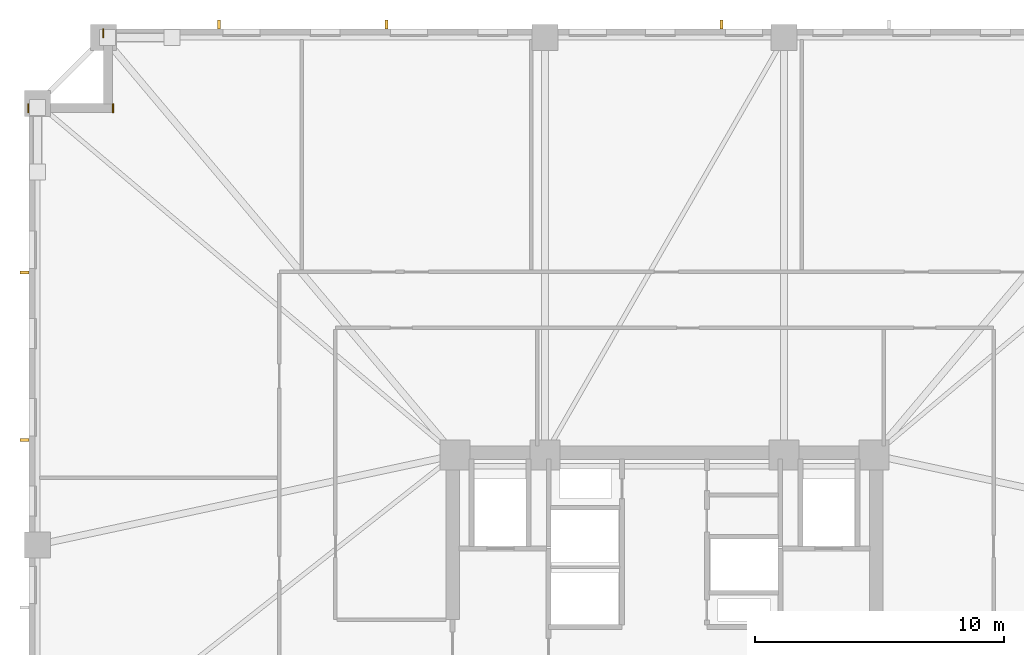
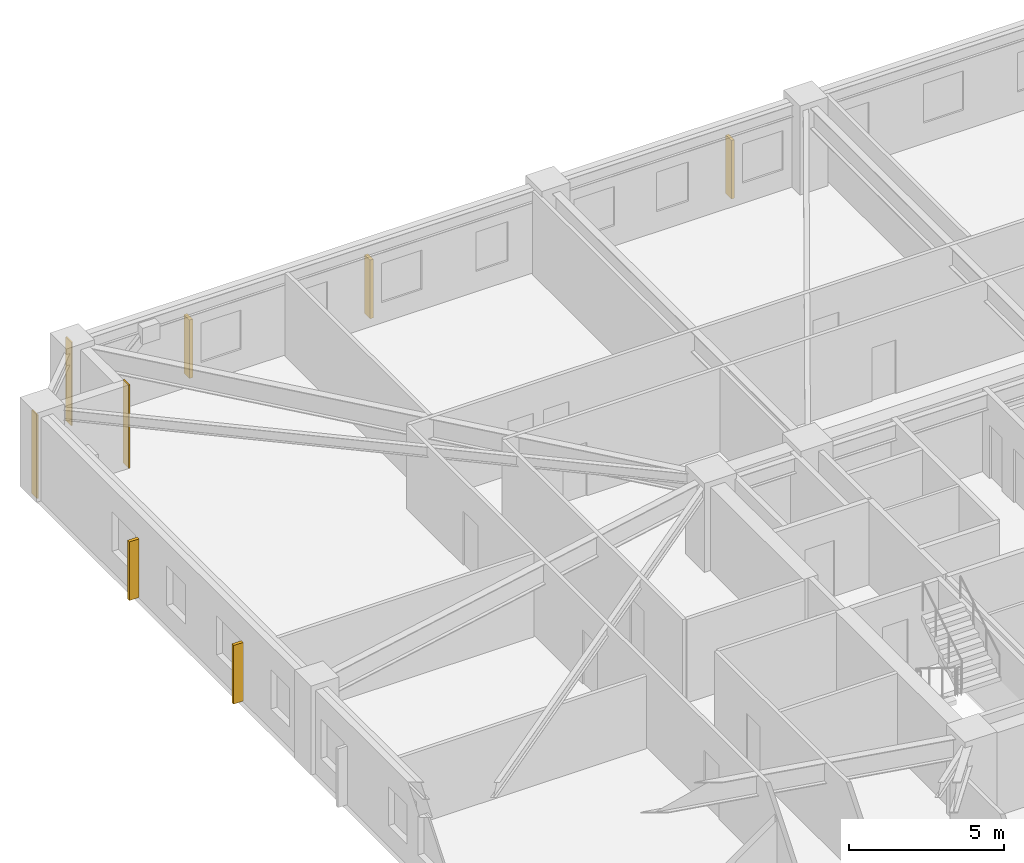
# One storey, part 10 of 11: 5 shading devices, 3 coverings.
"""IFC4 building model written with IfcOpenShell, lengths in metres."""

import ifcopenshell
import ifcopenshell.guid

model = None  # the IFC model being written
_history = None  # IfcOwnerHistory: only IFC2X3 demands one
_inside = {}  # id of a spatial element -> (the spatial element, [elements in it])
_under = {}  # id of a project, library or spatial element -> (it, [spatial elements below it])
_declared = {}  # id of a project -> (the project, [libraries it declares])
_typed = {}  # id of a type object -> (the type object, [elements of that type])
_made_of = {}  # id of a material, layer set ... -> (it, [elements and type objects made of it])


def new_model(schema):
    """Start an empty IFC model of exactly this schema.

    Asked for "IFC4X3", IfcOpenShell would pick the latest addendum, in which some entities
    have other attributes; the version numbers below select the first issue.
    IFC2X3 requires an IfcOwnerHistory on every rooted entity: one is made here for all.
    """
    global model, _history
    if schema == "IFC4X3":
        model = ifcopenshell.file(schema_version=(4, 3, 0, 0))
    else:
        model = ifcopenshell.file(schema=schema)
    _inside.clear()
    _under.clear()
    _declared.clear()
    _typed.clear()
    _made_of.clear()
    _history = None
    if model.schema == "IFC2X3":
        org = make("IfcOrganization", Name="unknown")
        user = make(
            "IfcPersonAndOrganization",
            ThePerson=make("IfcPerson", FamilyName="unknown"),
            TheOrganization=org,
        )
        app = make(
            "IfcApplication",
            ApplicationDeveloper=org,
            Version="unknown",
            ApplicationFullName="unknown",
            ApplicationIdentifier="unknown",
        )
        _history = make(
            "IfcOwnerHistory",
            OwningUser=user,
            OwningApplication=app,
            ChangeAction="ADDED",
            CreationDate=0,
        )
    return model


def make(cls, **values):
    """One entity of the class cls with the attributes given. An attribute that is None is left unset."""
    return model.create_entity(
        cls, **{name: value for name, value in values.items() if value is not None}
    )


def rooted(cls, **values):
    """An entity with a GlobalId (a new one), such as an element, a storey or a relation."""
    return make(cls, GlobalId=ifcopenshell.guid.new(), OwnerHistory=_history, **values)


def si_unit(unit_type, name, prefix=None):
    """IfcSIUnit, for example si_unit("LENGTHUNIT", "METRE", prefix="MILLI")."""
    return make("IfcSIUnit", UnitType=unit_type, Prefix=prefix, Name=name)


def assignment(units):
    """IfcUnitAssignment: the units of a project."""
    return None if units is None else make("IfcUnitAssignment", Units=units)


def point(xyz):
    """IfcCartesianPoint."""
    return None if xyz is None else make("IfcCartesianPoint", Coordinates=xyz)


def direction(xyz):
    """IfcDirection."""
    return None if xyz is None else make("IfcDirection", DirectionRatios=xyz)


def frame(location, z_axis=None, x_axis=None):
    """IfcAxis2Placement3D, a coordinate frame: its origin and axes. An axis left out is left unset."""
    return make(
        "IfcAxis2Placement3D",
        Location=point(location),
        Axis=direction(z_axis),
        RefDirection=direction(x_axis),
    )


def frame_2d(location, x_axis=None):
    """IfcAxis2Placement2D, a coordinate frame in the plane: its origin and x axis."""
    return make(
        "IfcAxis2Placement2D", Location=point(location), RefDirection=direction(x_axis)
    )


def origin():
    """The frame at (0, 0, 0) with its axes left unset."""
    return frame((0.0, 0.0, 0.0))


def origin_2d():
    """The frame at (0, 0) in the plane with its x axis left unset."""
    return frame_2d((0.0, 0.0))


def place(relative_to, where):
    """IfcLocalPlacement: puts the frame where relative to a parent placement (None: the world)."""
    return make(
        "IfcLocalPlacement", PlacementRelTo=relative_to, RelativePlacement=where
    )


def context(
    kind, dimensions, precision=None, world=None, true_north=None, identifier=None
):
    """IfcGeometricRepresentationContext, for example the 3D "Model" context."""
    return make(
        "IfcGeometricRepresentationContext",
        ContextIdentifier=identifier,
        ContextType=kind,
        CoordinateSpaceDimension=dimensions,
        Precision=precision,
        WorldCoordinateSystem=world,
        TrueNorth=true_north,
    )


def subcontext(parent, identifier, kind, view, scale=None):
    """IfcGeometricRepresentationSubContext, for example "Body" below "Model"."""
    return make(
        "IfcGeometricRepresentationSubContext",
        ContextIdentifier=identifier,
        ContextType=kind,
        ParentContext=parent,
        TargetScale=scale,
        TargetView=view,
    )


def project(units=None, contexts=None):
    """IfcProject with its units and contexts."""
    return rooted(
        "IfcProject",
        Name="project",
        RepresentationContexts=contexts,
        UnitsInContext=assignment(units),
    )


def spatial(cls, under=None, at=None, **own):
    """A site, building, storey or space (cls), placed at a placement, below another one or the project."""
    s = rooted(cls, ObjectPlacement=at, **own)
    if under is not None:
        _under.setdefault(under.id(), (under, []))[1].append(s)
    return s


def profile(cls, at=None, kind="AREA", **sizes):
    """A parametric profile (cls). Its sizes go by their IFC names, for example OverallWidth=200.0."""
    return make(cls, ProfileType=kind, Position=at, **sizes)


def rectangle(**sizes):
    """IfcRectangleProfileDef."""
    return profile("IfcRectangleProfileDef", **sizes)


def extrude(swept, where, along, depth):
    """IfcExtrudedAreaSolid: the profile swept, set in the frame where, extruded along a direction by depth."""
    return make(
        "IfcExtrudedAreaSolid",
        SweptArea=swept,
        Position=where,
        ExtrudedDirection=direction(along),
        Depth=depth,
    )


def shape(context_of_items, identifier, shape_type, items):
    """IfcShapeRepresentation: the items that make up one representation, for example the "Body"."""
    return make(
        "IfcShapeRepresentation",
        ContextOfItems=context_of_items,
        RepresentationIdentifier=identifier,
        RepresentationType=shape_type,
        Items=items,
    )


def material(Name=None, Category=None):
    """IfcMaterial."""
    return make("IfcMaterial", Name=Name, Category=Category)


def layer(
    of_material, thickness, ventilated=None, Name=None, Category=None, Priority=None
):
    """IfcMaterialLayer: one layer of a wall or slab, of a material (None: an air gap)."""
    return make(
        "IfcMaterialLayer",
        Material=of_material,
        LayerThickness=thickness,
        IsVentilated=ventilated,
        Name=Name,
        Category=Category,
        Priority=Priority,
    )


def layer_set(layers, Name=None):
    """IfcMaterialLayerSet."""
    return make("IfcMaterialLayerSet", MaterialLayers=layers, LayerSetName=Name)


def made_of(thing, what):
    """Note that an element or type object is made of a material, layer set ...; save() writes the relation."""
    if what is not None:
        _made_of.setdefault(what.id(), (what, []))[1].append(thing)
    return thing


def type_object(cls, material=None, **own):
    """A type object (cls), such as IfcWallType, which elements share."""
    return made_of(rooted(cls, **own), material)


def element(
    cls,
    number,
    at=None,
    inside=None,
    cuts=None,
    type_object=None,
    material=None,
    context=None,
    identifier="Body",
    shape_type=None,
    held_by="IfcProductDefinitionShape",
    body=None,
    shapes=None,
    **own,
):
    """One element of the class cls, such as IfcWall. Its Tag is "e" and its number.

    at: its placement. inside: the storey or other place that contains it. cuts: it is an
    opening in that element (IfcRelVoidsElement). A single representation is given by context,
    identifier, shape_type and body (its items); several are given by shapes. held_by: the class
    of the entity that holds the representations. save() writes the other relations.
    """
    e = rooted(cls, Tag="e%d" % number, ObjectPlacement=at, **own)
    if body is not None:
        shapes = [shape(context, identifier, shape_type, body)]
    if shapes is not None:
        e.Representation = make(held_by, Representations=shapes)
    if inside is not None:
        _inside.setdefault(inside.id(), (inside, []))[1].append(e)
    if cuts is not None:
        rooted(
            "IfcRelVoidsElement", RelatingBuildingElement=cuts, RelatedOpeningElement=e
        )
    if type_object is not None:
        _typed.setdefault(type_object.id(), (type_object, []))[1].append(e)
    return made_of(e, material)


def aggregate(whole, parts):
    """IfcRelAggregates: a whole, such as a stair, and the parts it consists of."""
    return rooted("IfcRelAggregates", RelatingObject=whole, RelatedObjects=parts)


def save(model, path):
    """Write the relations noted so far, then the file.

    IfcRelAggregates (storeys below a building ...), IfcRelContainedInSpatialStructure (elements
    in a storey), IfcRelDefinesByType, IfcRelAssociatesMaterial and IfcRelDeclares: one each for
    every whole, place, type object, material and project.
    """
    for whole, parts in _under.values():
        aggregate(whole, parts)
    for where, things in _inside.values():
        rooted(
            "IfcRelContainedInSpatialStructure",
            RelatedElements=things,
            RelatingStructure=where,
        )
    for kind, things in _typed.values():
        rooted("IfcRelDefinesByType", RelatedObjects=things, RelatingType=kind)
    for what, things in _made_of.values():
        rooted("IfcRelAssociatesMaterial", RelatedObjects=things, RelatingMaterial=what)
    for by, libraries in _declared.values():
        rooted("IfcRelDeclares", RelatingContext=by, RelatedDefinitions=libraries)
    model.write(path)


model = new_model("IFC4")

# Units and contexts
model_context = context("Model", 3, precision=1e-05, world=origin(), true_north=direction((0.0, 1.0)))
body_context = subcontext(model_context, "Body", "Model", "MODEL_VIEW")
ifc_project = project(units=[si_unit("LENGTHUNIT", "METRE"), si_unit("AREAUNIT", "SQUARE_METRE"), si_unit("VOLUMEUNIT", "CUBIC_METRE"), si_unit("PLANEANGLEUNIT", "RADIAN"), si_unit("MASSUNIT", "GRAM", prefix="KILO")], contexts=[model_context])

# Site, building, storey
site_placement = place(None, origin())
site = spatial("IfcSite", under=ifc_project, at=site_placement, CompositionType="ELEMENT")
building_placement = place(site_placement, origin())
building = spatial("IfcBuilding", under=site, at=building_placement, Name="Cairnveth Concourse Tower", CompositionType="ELEMENT")
storey_placement = place(building_placement, frame((0.0, 0.0, 44.5)))
storey = spatial("IfcBuildingStorey", under=building, at=storey_placement, Name="L11", CompositionType="ELEMENT", Elevation=44.5)

# Coverings
ifc_material_1 = material(Name="Dressed Melbourne Bluestone Cladding", Category="masonry")
ifc_layer = layer(ifc_material_1, 0.050048828125)
ifc_layer_set = layer_set([ifc_layer], Name="Dressed Melbourne Bluestone Cladding")
covering_type = type_object("IfcCoveringType", Name="DRESSED BLUESTONE PLINTH CLADDING 50", PredefinedType="CLADDING", material=ifc_layer_set)
for number, where, z_axis, x_axis, name in (
    (1, (26.47998046875, 61.139892578125, 0.0), (0.0, 0.0, 1.0), (0.0, 1.0, 0.0), "Melbourne Bluestone Corner Quoin L11-123"),
    (2, (29.8798828125, 61.139892578125, 0.0), (0.0, 0.0, 1.0), (0.0, 1.0, 0.0), "Melbourne Bluestone Corner Quoin L11-124"),
    (3, (29.47998046875, 64.139892578125, 0.0), (0.0, 0.0, 1.0), (0.0, 1.0, 0.0), "Melbourne Bluestone Corner Quoin L11-125"),
):
    element("IfcCovering", number, at=place(storey_placement, frame(where, z_axis=z_axis, x_axis=x_axis)), inside=storey, type_object=covering_type, Name=name, PredefinedType="CLADDING", context=body_context, shape_type="SweptSolid", body=[
        extrude(rectangle(XDim=0.360107421875, YDim=0.050048828125, at=frame_2d((0.18017578125, 0.0))), origin(), (0.0, 0.0, 1.0), 3.280029296875),
    ])

# Shading devices
ifc_material_2 = material(Name="Architectural Bronze Anodised Aluminium 6063-T6", Category="aluminium")
shading_device_type = type_object("IfcShadingDeviceType", Name="GOTHIC BRONZE VERTICAL LANCET FIN", PredefinedType="USERDEFINED", material=ifc_material_2)
for number, where, z_axis, x_axis, name in (
    (4, (26.324951171875, 48.00146484375, 0.02978515625), (0.0, 0.0, 1.0), (0.0, 1.0, 0.0), "Gothic Bronze Vertical Fin L11-3-9"),
    (5, (26.324951171875, 54.721923828125, 0.02978515625), (0.0, 0.0, 1.0), (0.0, 1.0, 0.0), "Gothic Bronze Vertical Fin L11-3-11"),
    (6, (34.1201171875, 64.675048828125, 0.02978515625), (0.0, 0.0, 1.0), (1.0, 0.0, 0.0), "Gothic Bronze Vertical Fin L11-6-1"),
    (7, (40.840576171875, 64.675048828125, 0.02978515625), (0.0, 0.0, 1.0), (1.0, 0.0, 0.0), "Gothic Bronze Vertical Fin L11-6-3"),
    (8, (54.28125, 64.675048828125, 0.02978515625), (0.0, 0.0, 1.0), (1.0, 0.0, 0.0), "Gothic Bronze Vertical Fin L11-6-7"),
):
    element("IfcShadingDevice", number, at=place(storey_placement, frame(where, z_axis=z_axis, x_axis=x_axis)), inside=storey, type_object=shading_device_type, Name=name, ObjectType="VERTICAL FIN", PredefinedType="USERDEFINED", context=body_context, shape_type="SweptSolid", body=[
        extrude(rectangle(XDim=0.1201171875, YDim=0.360107421875, at=origin_2d()), origin(), (0.0, 0.0, 1.0), 2.303955078125),
    ])

save(model, "model.ifc")
